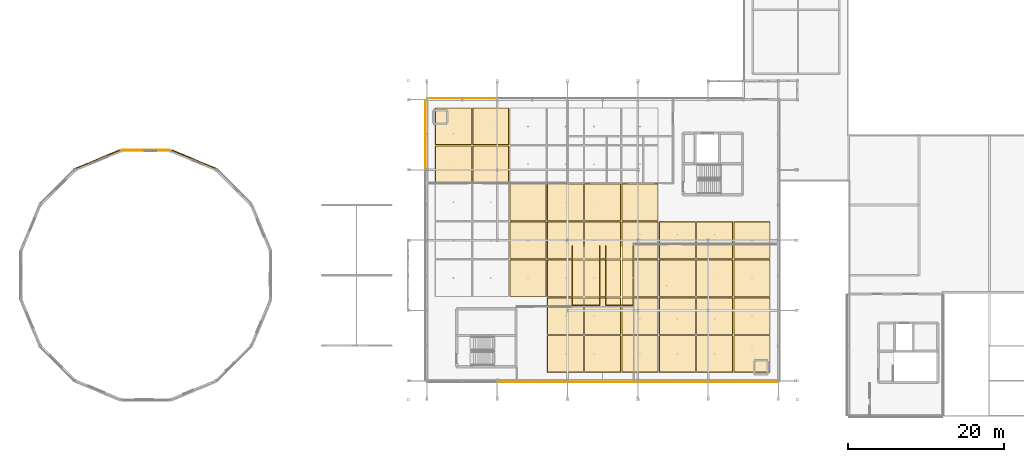
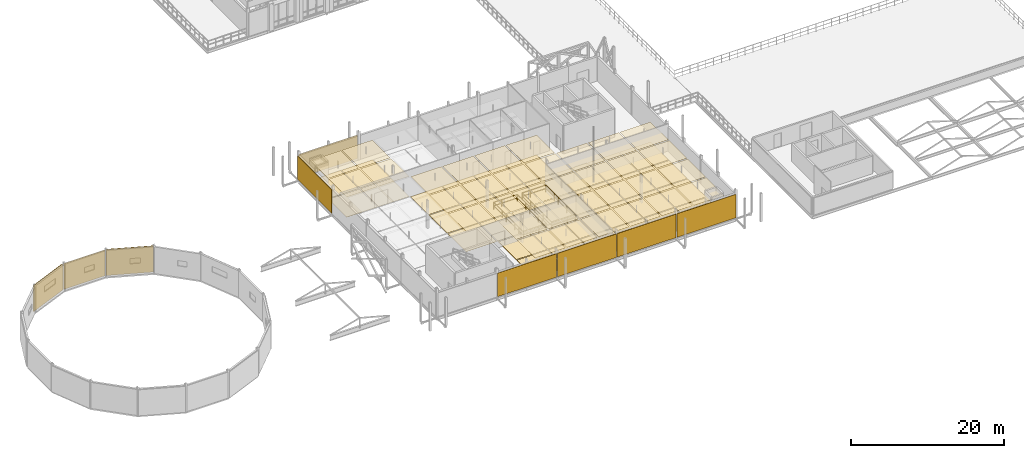
# One storey, part 81 of 89: 77 coverings, 2 railings.
"""IFC4 building model written with IfcOpenShell, lengths in metres."""

from ifc_helpers import new_model, si_unit, direction, frame, origin, origin_2d, place, context, subcontext, project, spatial, rectangle, circle, extrude, material, layer, layer_set, type_object, element, save


model = new_model("IFC4")

# Units and contexts
model_context = context("Model", 3, precision=1e-05, world=origin(), true_north=direction((0.0, 1.0)))
body_context = subcontext(model_context, "Body", "Model", "MODEL_VIEW")
ifc_project = project(units=[si_unit("LENGTHUNIT", "METRE"), si_unit("AREAUNIT", "SQUARE_METRE"), si_unit("VOLUMEUNIT", "CUBIC_METRE"), si_unit("PLANEANGLEUNIT", "RADIAN"), si_unit("MASSUNIT", "GRAM", prefix="KILO"), si_unit("THERMODYNAMICTEMPERATUREUNIT", "KELVIN"), si_unit("POWERUNIT", "WATT")], contexts=[model_context])

# Site, building, storey
site_placement = place(None, origin())
site = spatial("IfcSite", under=ifc_project, at=site_placement, CompositionType="ELEMENT")
building_placement = place(site_placement, origin())
building = spatial("IfcBuilding", under=site, at=building_placement, Name="Tallowbark Science Centre", CompositionType="ELEMENT")
storey_placement = place(building_placement, frame((0.0, 0.0, 14.39990234375)))
storey = spatial("IfcBuildingStorey", under=building, at=storey_placement, Name="L03", CompositionType="ELEMENT", Elevation=14.39990234375)

# Coverings
ifc_material_1 = material(Name="Perforated Spotted Gum Acoustic Baffle Ceiling", Category="wood")
ifc_layer_1 = layer(ifc_material_1, 0.02490234375)
ifc_layer_set_1 = layer_set([ifc_layer_1], Name="Perforated Spotted Gum Acoustic Baffle Ceiling")
covering_type_1 = type_object("IfcCoveringType", Name="CLG-TIM-25", PredefinedType="CEILING", material=ifc_layer_set_1)
for number, where, z_axis, x_axis, name in (
    (1, (61.888916015625, 32.21435546875, 3.187744140625), (0.0, 0.0, 1.0), (1.0, 0.0, 0.0), "Suspended Ceiling L03-949"),
    (2, (61.888916015625, 37.0712890625, 3.187744140625), (0.0, 0.0, 1.0), (1.0, 0.0, 0.0), "Suspended Ceiling L03-950"),
    (3, (66.666748046875, 32.21435546875, 3.187744140625), (0.0, 0.0, 1.0), (1.0, 0.0, 0.0), "Suspended Ceiling L03-954"),
    (4, (66.666748046875, 37.0712890625, 3.187744140625), (0.0, 0.0, 1.0), (1.0, 0.0, 0.0), "Suspended Ceiling L03-955"),
    (5, (71.4443359375, 17.642822265625, 3.187744140625), (0.0, 0.0, 1.0), (1.0, 0.0, 0.0), "Suspended Ceiling L03-956"),
    (6, (71.4443359375, 22.5, 3.187744140625), (0.0, 0.0, 1.0), (1.0, 0.0, 0.0), "Suspended Ceiling L03-957"),
    (7, (71.4443359375, 27.357177734375, 3.187744140625), (0.0, 0.0, 1.0), (1.0, 0.0, 0.0), "Suspended Ceiling L03-958"),
    (8, (76.22216796875, 7.9287109375, 3.187744140625), (0.0, 0.0, 1.0), (1.0, 0.0, 0.0), "Suspended Ceiling L03-961"),
    (9, (76.22216796875, 12.78564453125, 3.187744140625), (0.0, 0.0, 1.0), (1.0, 0.0, 0.0), "Suspended Ceiling L03-962"),
    (10, (76.22216796875, 17.642822265625, 3.187744140625), (0.0, 0.0, 1.0), (1.0, 0.0, 0.0), "Suspended Ceiling L03-963"),
    (11, (76.22216796875, 22.5, 3.187744140625), (0.0, 0.0, 1.0), (1.0, 0.0, 0.0), "Suspended Ceiling L03-964"),
    (12, (76.22216796875, 27.357177734375, 3.187744140625), (0.0, 0.0, 1.0), (1.0, 0.0, 0.0), "Suspended Ceiling L03-965"),
    (13, (81.0, 7.9287109375, 3.187744140625), (0.0, 0.0, 1.0), (1.0, 0.0, 0.0), "Suspended Ceiling L03-968"),
    (14, (81.0, 12.78564453125, 3.187744140625), (0.0, 0.0, 1.0), (1.0, 0.0, 0.0), "Suspended Ceiling L03-969"),
    (15, (81.0, 17.642822265625, 3.187744140625), (0.0, 0.0, 1.0), (1.0, 0.0, 0.0), "Suspended Ceiling L03-970"),
    (16, (81.0, 22.5, 3.187744140625), (0.0, 0.0, 1.0), (1.0, 0.0, 0.0), "Suspended Ceiling L03-971"),
    (17, (81.0, 27.357177734375, 3.187744140625), (0.0, 0.0, 1.0), (1.0, 0.0, 0.0), "Suspended Ceiling L03-972"),
    (18, (85.77783203125, 7.9287109375, 3.187744140625), (0.0, 0.0, 1.0), (1.0, 0.0, 0.0), "Suspended Ceiling L03-975"),
    (19, (85.77783203125, 12.78564453125, 3.187744140625), (0.0, 0.0, 1.0), (1.0, 0.0, 0.0), "Suspended Ceiling L03-976"),
    (20, (85.77783203125, 17.642822265625, 3.187744140625), (0.0, 0.0, 1.0), (1.0, 0.0, 0.0), "Suspended Ceiling L03-977"),
    (21, (85.77783203125, 22.5, 3.187744140625), (0.0, 0.0, 1.0), (1.0, 0.0, 0.0), "Suspended Ceiling L03-978"),
    (22, (85.77783203125, 27.357177734375, 3.187744140625), (0.0, 0.0, 1.0), (1.0, 0.0, 0.0), "Suspended Ceiling L03-979"),
    (23, (90.5556640625, 7.9287109375, 3.187744140625), (0.0, 0.0, 1.0), (1.0, 0.0, 0.0), "Suspended Ceiling L03-982"),
    (24, (90.5556640625, 12.78564453125, 3.187744140625), (0.0, 0.0, 1.0), (1.0, 0.0, 0.0), "Suspended Ceiling L03-983"),
    (25, (90.5556640625, 17.642822265625, 3.187744140625), (0.0, 0.0, 1.0), (1.0, 0.0, 0.0), "Suspended Ceiling L03-984"),
    (26, (90.5556640625, 22.5, 3.187744140625), (0.0, 0.0, 1.0), (1.0, 0.0, 0.0), "Suspended Ceiling L03-985"),
    (27, (95.333251953125, 7.9287109375, 3.187744140625), (0.0, 0.0, 1.0), (1.0, 0.0, 0.0), "Suspended Ceiling L03-986"),
    (28, (95.333251953125, 12.78564453125, 3.187744140625), (0.0, 0.0, 1.0), (1.0, 0.0, 0.0), "Suspended Ceiling L03-987"),
    (29, (95.333251953125, 17.642822265625, 3.187744140625), (0.0, 0.0, 1.0), (1.0, 0.0, 0.0), "Suspended Ceiling L03-988"),
    (30, (95.333251953125, 22.5, 3.187744140625), (0.0, 0.0, 1.0), (1.0, 0.0, 0.0), "Suspended Ceiling L03-989"),
    (31, (100.111083984375, 7.9287109375, 3.187744140625), (0.0, 0.0, 1.0), (1.0, 0.0, 0.0), "Suspended Ceiling L03-990"),
    (32, (100.111083984375, 12.78564453125, 3.187744140625), (0.0, 0.0, 1.0), (1.0, 0.0, 0.0), "Suspended Ceiling L03-991"),
    (33, (100.111083984375, 17.642822265625, 3.187744140625), (0.0, 0.0, 1.0), (1.0, 0.0, 0.0), "Suspended Ceiling L03-992"),
    (34, (100.111083984375, 22.5, 3.187744140625), (0.0, 0.0, 1.0), (1.0, 0.0, 0.0), "Suspended Ceiling L03-993"),
):
    element("IfcCovering", number, at=place(storey_placement, frame(where, z_axis=z_axis, x_axis=x_axis)), inside=storey, type_object=covering_type_1, Name=name, PredefinedType="CEILING", context=body_context, shape_type="SweptSolid", body=[
        extrude(rectangle(XDim=4.597900390625, YDim=4.677001953125, at=origin_2d()), origin(), (0.0, 0.0, 1.0), 0.02490234375),
    ])
ifc_material_2 = material(Name="White Architectural Precast Concrete Grade N40 (40 MPa)", Category="concrete")
ifc_layer_2 = layer(ifc_material_2, 0.1201171875)
ifc_layer_set_2 = layer_set([ifc_layer_2], Name="White Architectural Precast Concrete Grade N40 (40 MPa)")
covering_type_2 = type_object("IfcCoveringType", Name="COV-PRC-CLAD", PredefinedType="CLADDING", material=ifc_layer_set_2)
for number, where, z_axis, x_axis, name in (
    (35, (28.654052734375, 32.857177734375, 0.050048828125), (0.0, 0.0, 1.0), (-0.923879532859, 0.382683431527, 0.0), "Architectural Rainscreen DRM-UP-L03-02"),
    (36, (16.345947265625, 32.857177734375, 0.050048828125), (0.0, 0.0, 1.0), (-0.923879532859, -0.382683431527, 0.0), "Architectural Rainscreen DRM-UP-L03-04"),
):
    element("IfcCovering", number, at=place(storey_placement, frame(where, z_axis=z_axis, x_axis=x_axis)), inside=storey, type_object=covering_type_2, Name=name, PredefinedType="CLADDING", context=body_context, shape_type="SweptSolid", body=[
        extrude(rectangle(XDim=6.200927734375, YDim=0.1201171875, at=origin_2d()), origin(), (0.0, 0.0, 1.0), 4.1298828125),
    ])
ifc_material_3 = material(Name="Vitrified Ochre Terracotta Architectural Rainscreen", Category="masonry")
ifc_layer_3 = layer(ifc_material_3, 0.0380859375)
ifc_layer_set_3 = layer_set([ifc_layer_3], Name="Vitrified Ochre Terracotta Architectural Rainscreen")
covering_type_3 = type_object("IfcCoveringType", Name="COV-TER-CLAD", PredefinedType="CLADDING", material=ifc_layer_set_3)
covering_placement = place(storey_placement, frame((22.5, 34.040283203125, 0.050048828125), z_axis=(0.0, 0.0, 1.0), x_axis=(-1.0, 0.0, 0.0)))
element("IfcCovering", 37, at=covering_placement, inside=storey, type_object=covering_type_3, Name="Architectural Rainscreen DRM-UP-L03-03", PredefinedType="CLADDING", context=body_context, shape_type="SweptSolid", body=[
    extrude(rectangle(XDim=6.200927734375, YDim=0.0380859375, at=origin_2d()), origin(), (0.0, 0.0, 1.0), 4.1298828125),
])
ifc_material_4 = material(Name="Spotted Gum Hardwood Architectural Rainscreen", Category="wood")
ifc_layer_4 = layer(ifc_material_4, 0.0419921875)
ifc_layer_set_4 = layer_set([ifc_layer_4], Name="Spotted Gum Hardwood Architectural Rainscreen")
covering_type_4 = type_object("IfcCoveringType", Name="COV-TIM-CLAD", PredefinedType="CLADDING", material=ifc_layer_set_4)
for number, where, z_axis, x_axis, name in (
    (38, (63.0, 40.66845703125, 0.050048828125), (0.0, 0.0, 1.0), (-1.0, 0.0, 0.0), "Architectural Rainscreen CUB-N-L03-0"),
    (39, (72.0, 4.33154296875, 0.050048828125), (0.0, 0.0, 1.0), (1.0, 0.0, 0.0), "Architectural Rainscreen CUB-S-L03-1"),
    (40, (81.0, 4.33154296875, 0.050048828125), (0.0, 0.0, 1.0), (1.0, 0.0, 0.0), "Architectural Rainscreen CUB-S-L03-2"),
    (41, (90.0, 4.33154296875, 0.050048828125), (0.0, 0.0, 1.0), (1.0, 0.0, 0.0), "Architectural Rainscreen CUB-S-L03-3"),
    (42, (99.0, 4.33154296875, 0.050048828125), (0.0, 0.0, 1.0), (1.0, 0.0, 0.0), "Architectural Rainscreen CUB-S-L03-4"),
    (43, (58.33154296875, 36.0, 0.050048828125), (0.0, 0.0, 1.0), (0.0, -1.0, 0.0), "Architectural Rainscreen CUB-W-L03-3"),
):
    element("IfcCovering", number, at=place(storey_placement, frame(where, z_axis=z_axis, x_axis=x_axis)), inside=storey, type_object=covering_type_4, Name=name, PredefinedType="CLADDING", context=body_context, shape_type="SweptSolid", body=[
        extrude(rectangle(XDim=8.8798828125, YDim=0.0419921875, at=origin_2d()), origin(), (0.0, 0.0, 1.0), 3.74609375),
    ])
ifc_material_5 = material(Name="Engineered Blackbutt Gallery Timber Flooring", Category="wood")
ifc_layer_5 = layer(ifc_material_5, 0.02197265625)
ifc_layer_set_5 = layer_set([ifc_layer_5], Name="Engineered Blackbutt Gallery Timber Flooring")
covering_type_5 = type_object("IfcCoveringType", Name="FLR-TIM-22", PredefinedType="FLOORING", material=ifc_layer_set_5)
for number, where, z_axis, x_axis, name in (
    (44, (61.888916015625, 32.21435546875, 0.0), (0.0, 0.0, 1.0), (1.0, 0.0, 0.0), "Floor Finish L03-949"),
    (45, (61.888916015625, 37.0712890625, 0.0), (0.0, 0.0, 1.0), (1.0, 0.0, 0.0), "Floor Finish L03-950"),
    (46, (66.666748046875, 32.21435546875, 0.0), (0.0, 0.0, 1.0), (1.0, 0.0, 0.0), "Floor Finish L03-954"),
    (47, (66.666748046875, 37.0712890625, 0.0), (0.0, 0.0, 1.0), (1.0, 0.0, 0.0), "Floor Finish L03-955"),
    (48, (71.4443359375, 17.642822265625, 0.0), (0.0, 0.0, 1.0), (1.0, 0.0, 0.0), "Floor Finish L03-956"),
    (49, (71.4443359375, 22.5, 0.0), (0.0, 0.0, 1.0), (1.0, 0.0, 0.0), "Floor Finish L03-957"),
    (50, (71.4443359375, 27.357177734375, 0.0), (0.0, 0.0, 1.0), (1.0, 0.0, 0.0), "Floor Finish L03-958"),
    (51, (76.22216796875, 7.9287109375, 0.0), (0.0, 0.0, 1.0), (1.0, 0.0, 0.0), "Floor Finish L03-961"),
    (52, (76.22216796875, 12.78564453125, 0.0), (0.0, 0.0, 1.0), (1.0, 0.0, 0.0), "Floor Finish L03-962"),
    (53, (76.22216796875, 17.642822265625, 0.0), (0.0, 0.0, 1.0), (1.0, 0.0, 0.0), "Floor Finish L03-963"),
    (54, (76.22216796875, 22.5, 0.0), (0.0, 0.0, 1.0), (1.0, 0.0, 0.0), "Floor Finish L03-964"),
    (55, (76.22216796875, 27.357177734375, 0.0), (0.0, 0.0, 1.0), (1.0, 0.0, 0.0), "Floor Finish L03-965"),
    (56, (81.0, 7.9287109375, 0.0), (0.0, 0.0, 1.0), (1.0, 0.0, 0.0), "Floor Finish L03-968"),
    (57, (81.0, 12.78564453125, 0.0), (0.0, 0.0, 1.0), (1.0, 0.0, 0.0), "Floor Finish L03-969"),
    (58, (81.0, 17.642822265625, 0.0), (0.0, 0.0, 1.0), (1.0, 0.0, 0.0), "Floor Finish L03-970"),
    (59, (81.0, 22.5, 0.0), (0.0, 0.0, 1.0), (1.0, 0.0, 0.0), "Floor Finish L03-971"),
    (60, (81.0, 27.357177734375, 0.0), (0.0, 0.0, 1.0), (1.0, 0.0, 0.0), "Floor Finish L03-972"),
    (61, (85.77783203125, 7.9287109375, 0.0), (0.0, 0.0, 1.0), (1.0, 0.0, 0.0), "Floor Finish L03-975"),
    (62, (85.77783203125, 12.78564453125, 0.0), (0.0, 0.0, 1.0), (1.0, 0.0, 0.0), "Floor Finish L03-976"),
    (63, (85.77783203125, 17.642822265625, 0.0), (0.0, 0.0, 1.0), (1.0, 0.0, 0.0), "Floor Finish L03-977"),
    (64, (85.77783203125, 22.5, 0.0), (0.0, 0.0, 1.0), (1.0, 0.0, 0.0), "Floor Finish L03-978"),
    (65, (85.77783203125, 27.357177734375, 0.0), (0.0, 0.0, 1.0), (1.0, 0.0, 0.0), "Floor Finish L03-979"),
    (66, (90.5556640625, 7.9287109375, 0.0), (0.0, 0.0, 1.0), (1.0, 0.0, 0.0), "Floor Finish L03-982"),
    (67, (90.5556640625, 12.78564453125, 0.0), (0.0, 0.0, 1.0), (1.0, 0.0, 0.0), "Floor Finish L03-983"),
    (68, (90.5556640625, 17.642822265625, 0.0), (0.0, 0.0, 1.0), (1.0, 0.0, 0.0), "Floor Finish L03-984"),
    (69, (90.5556640625, 22.5, 0.0), (0.0, 0.0, 1.0), (1.0, 0.0, 0.0), "Floor Finish L03-985"),
    (70, (95.333251953125, 7.9287109375, 0.0), (0.0, 0.0, 1.0), (1.0, 0.0, 0.0), "Floor Finish L03-986"),
    (71, (95.333251953125, 12.78564453125, 0.0), (0.0, 0.0, 1.0), (1.0, 0.0, 0.0), "Floor Finish L03-987"),
    (72, (95.333251953125, 17.642822265625, 0.0), (0.0, 0.0, 1.0), (1.0, 0.0, 0.0), "Floor Finish L03-988"),
    (73, (95.333251953125, 22.5, 0.0), (0.0, 0.0, 1.0), (1.0, 0.0, 0.0), "Floor Finish L03-989"),
    (74, (100.111083984375, 7.9287109375, 0.0), (0.0, 0.0, 1.0), (1.0, 0.0, 0.0), "Floor Finish L03-990"),
    (75, (100.111083984375, 12.78564453125, 0.0), (0.0, 0.0, 1.0), (1.0, 0.0, 0.0), "Floor Finish L03-991"),
    (76, (100.111083984375, 17.642822265625, 0.0), (0.0, 0.0, 1.0), (1.0, 0.0, 0.0), "Floor Finish L03-992"),
    (77, (100.111083984375, 22.5, 0.0), (0.0, 0.0, 1.0), (1.0, 0.0, 0.0), "Floor Finish L03-993"),
):
    element("IfcCovering", number, at=place(storey_placement, frame(where, z_axis=z_axis, x_axis=x_axis)), inside=storey, type_object=covering_type_5, Name=name, PredefinedType="FLOORING", context=body_context, shape_type="SweptSolid", body=[
        extrude(rectangle(XDim=4.65771484375, YDim=4.737060546875, at=origin_2d()), origin(), (0.0, 0.0, 1.0), 0.02197265625),
    ])

# Railings
ifc_material_6 = material(Name="Galvanised Painted Steel and Laminated Glass Balustrade", Category="steel")
ifc_layer_6 = layer(ifc_material_6, 0.070068359375)
ifc_layer_set_6 = layer_set([ifc_layer_6], Name="Galvanised Painted Steel and Laminated Glass Balustrade")
railing_type = type_object("IfcRailingType", Name="RLG-BAL-1150", PredefinedType="BALUSTRADE", material=ifc_layer_set_6)
railing_1_placement = place(storey_placement, frame((77.080078125, 14.179931640625, 0.0)))
element("IfcRailing", 78, at=railing_1_placement, inside=storey, type_object=railing_type, Name="Guardrail GD-ATR-L03W", PredefinedType="BALUSTRADE", context=body_context, shape_type="SweptSolid", body=[
    extrude(circle(Radius=0.02392578125, at=origin_2d()), frame((0.0, 0.0, 1.1259765625), z_axis=(1.0, 0.0, 0.0), x_axis=(0.0, 1.0, 0.0)), (0.0, 0.0, 1.0), 3.5400390625),
    extrude(circle(Radius=0.02392578125, at=origin_2d()), frame((0.0, 0.0, 0.574951171875), z_axis=(1.0, 0.0, 0.0), x_axis=(0.0, 1.0, 0.0)), (0.0, 0.0, 1.0), 3.5400390625),
    extrude(circle(Radius=0.02392578125, at=origin_2d()), frame((3.5400390625, 0.0, 1.1259765625), z_axis=(0.0, 1.0, 0.0), x_axis=(-1.0, 0.0, 0.0)), (0.0, 0.0, 1.0), 7.64013671875),
    extrude(circle(Radius=0.02392578125, at=origin_2d()), frame((3.5400390625, 0.0, 0.574951171875), z_axis=(0.0, 1.0, 0.0), x_axis=(-1.0, 0.0, 0.0)), (0.0, 0.0, 1.0), 7.64013671875),
    extrude(circle(Radius=0.02392578125, at=origin_2d()), frame((3.5400390625, 7.64013671875, 1.1259765625), z_axis=(-1.0, 0.0, 0.0), x_axis=(0.0, -1.0, 0.0)), (0.0, 0.0, 1.0), 3.5400390625),
    extrude(circle(Radius=0.02392578125, at=origin_2d()), frame((3.5400390625, 7.64013671875, 0.574951171875), z_axis=(-1.0, 0.0, 0.0), x_axis=(0.0, -1.0, 0.0)), (0.0, 0.0, 1.0), 3.5400390625),
    extrude(circle(Radius=0.02392578125, at=origin_2d()), frame((0.0, 7.64013671875, 1.1259765625), z_axis=(0.0, -1.0, 0.0), x_axis=(1.0, 0.0, 0.0)), (0.0, 0.0, 1.0), 7.64013671875),
    extrude(circle(Radius=0.02392578125, at=origin_2d()), frame((0.0, 7.64013671875, 0.574951171875), z_axis=(0.0, -1.0, 0.0), x_axis=(1.0, 0.0, 0.0)), (0.0, 0.0, 1.0), 7.64013671875),
    extrude(circle(Radius=0.02099609375, at=origin_2d()), origin(), (0.0, 0.0, 1.0), 1.101806640625),
    extrude(circle(Radius=0.02099609375, at=origin_2d()), frame((1.179931640625, 0.0, 0.0)), (0.0, 0.0, 1.0), 1.101806640625),
    extrude(circle(Radius=0.02099609375, at=origin_2d()), frame((2.360107421875, 0.0, 0.0)), (0.0, 0.0, 1.0), 1.101806640625),
    extrude(circle(Radius=0.02099609375, at=origin_2d()), frame((3.5400390625, 0.0, 0.0)), (0.0, 0.0, 1.0), 1.101806640625),
    extrude(circle(Radius=0.02099609375, at=origin_2d()), frame((3.5400390625, 1.091552734375, 0.0)), (0.0, 0.0, 1.0), 1.101806640625),
    extrude(circle(Radius=0.02099609375, at=origin_2d()), frame((3.5400390625, 2.182861328125, 0.0)), (0.0, 0.0, 1.0), 1.101806640625),
    extrude(circle(Radius=0.02099609375, at=origin_2d()), frame((3.5400390625, 3.2744140625, 0.0)), (0.0, 0.0, 1.0), 1.101806640625),
    extrude(circle(Radius=0.02099609375, at=origin_2d()), frame((3.5400390625, 4.36572265625, 0.0)), (0.0, 0.0, 1.0), 1.101806640625),
    extrude(circle(Radius=0.02099609375, at=origin_2d()), frame((3.5400390625, 5.457275390625, 0.0)), (0.0, 0.0, 1.0), 1.101806640625),
    extrude(circle(Radius=0.02099609375, at=origin_2d()), frame((3.5400390625, 6.548583984375, 0.0)), (0.0, 0.0, 1.0), 1.101806640625),
    extrude(circle(Radius=0.02099609375, at=origin_2d()), frame((3.5400390625, 7.64013671875, 0.0)), (0.0, 0.0, 1.0), 1.101806640625),
    extrude(circle(Radius=0.02099609375, at=origin_2d()), frame((2.360107421875, 7.64013671875, 0.0)), (0.0, 0.0, 1.0), 1.101806640625),
    extrude(circle(Radius=0.02099609375, at=origin_2d()), frame((1.179931640625, 7.64013671875, 0.0)), (0.0, 0.0, 1.0), 1.101806640625),
    extrude(circle(Radius=0.02099609375, at=origin_2d()), frame((0.0, 7.64013671875, 0.0)), (0.0, 0.0, 1.0), 1.101806640625),
    extrude(circle(Radius=0.02099609375, at=origin_2d()), frame((0.0, 6.548583984375, 0.0)), (0.0, 0.0, 1.0), 1.101806640625),
    extrude(circle(Radius=0.02099609375, at=origin_2d()), frame((0.0, 5.457275390625, 0.0)), (0.0, 0.0, 1.0), 1.101806640625),
    extrude(circle(Radius=0.02099609375, at=origin_2d()), frame((0.0, 4.36572265625, 0.0)), (0.0, 0.0, 1.0), 1.101806640625),
    extrude(circle(Radius=0.02099609375, at=origin_2d()), frame((0.0, 3.2744140625, 0.0)), (0.0, 0.0, 1.0), 1.101806640625),
    extrude(circle(Radius=0.02099609375, at=origin_2d()), frame((0.0, 2.182861328125, 0.0)), (0.0, 0.0, 1.0), 1.101806640625),
    extrude(circle(Radius=0.02099609375, at=origin_2d()), frame((0.0, 1.091552734375, 0.0)), (0.0, 0.0, 1.0), 1.101806640625),
])
railing_2_placement = place(storey_placement, frame((81.3798828125, 14.179931640625, 0.0)))
element("IfcRailing", 79, at=railing_2_placement, inside=storey, type_object=railing_type, Name="Guardrail GD-ATR-L03E", PredefinedType="BALUSTRADE", context=body_context, shape_type="SweptSolid", body=[
    extrude(circle(Radius=0.02392578125, at=origin_2d()), frame((0.0, 0.0, 1.1259765625), z_axis=(1.0, 0.0, 0.0), x_axis=(0.0, 1.0, 0.0)), (0.0, 0.0, 1.0), 3.5400390625),
    extrude(circle(Radius=0.02392578125, at=origin_2d()), frame((0.0, 0.0, 0.574951171875), z_axis=(1.0, 0.0, 0.0), x_axis=(0.0, 1.0, 0.0)), (0.0, 0.0, 1.0), 3.5400390625),
    extrude(circle(Radius=0.02392578125, at=origin_2d()), frame((3.5400390625, 0.0, 1.1259765625), z_axis=(0.0, 1.0, 0.0), x_axis=(-1.0, 0.0, 0.0)), (0.0, 0.0, 1.0), 7.64013671875),
    extrude(circle(Radius=0.02392578125, at=origin_2d()), frame((3.5400390625, 0.0, 0.574951171875), z_axis=(0.0, 1.0, 0.0), x_axis=(-1.0, 0.0, 0.0)), (0.0, 0.0, 1.0), 7.64013671875),
    extrude(circle(Radius=0.02392578125, at=origin_2d()), frame((3.5400390625, 7.64013671875, 1.1259765625), z_axis=(-1.0, 0.0, 0.0), x_axis=(0.0, -1.0, 0.0)), (0.0, 0.0, 1.0), 3.5400390625),
    extrude(circle(Radius=0.02392578125, at=origin_2d()), frame((3.5400390625, 7.64013671875, 0.574951171875), z_axis=(-1.0, 0.0, 0.0), x_axis=(0.0, -1.0, 0.0)), (0.0, 0.0, 1.0), 3.5400390625),
    extrude(circle(Radius=0.02392578125, at=origin_2d()), frame((0.0, 7.64013671875, 1.1259765625), z_axis=(0.0, -1.0, 0.0), x_axis=(1.0, 0.0, 0.0)), (0.0, 0.0, 1.0), 7.64013671875),
    extrude(circle(Radius=0.02392578125, at=origin_2d()), frame((0.0, 7.64013671875, 0.574951171875), z_axis=(0.0, -1.0, 0.0), x_axis=(1.0, 0.0, 0.0)), (0.0, 0.0, 1.0), 7.64013671875),
    extrude(circle(Radius=0.02099609375, at=origin_2d()), origin(), (0.0, 0.0, 1.0), 1.101806640625),
    extrude(circle(Radius=0.02099609375, at=origin_2d()), frame((1.179931640625, 0.0, 0.0)), (0.0, 0.0, 1.0), 1.101806640625),
    extrude(circle(Radius=0.02099609375, at=origin_2d()), frame((2.360107421875, 0.0, 0.0)), (0.0, 0.0, 1.0), 1.101806640625),
    extrude(circle(Radius=0.02099609375, at=origin_2d()), frame((3.5400390625, 0.0, 0.0)), (0.0, 0.0, 1.0), 1.101806640625),
    extrude(circle(Radius=0.02099609375, at=origin_2d()), frame((3.5400390625, 1.091552734375, 0.0)), (0.0, 0.0, 1.0), 1.101806640625),
    extrude(circle(Radius=0.02099609375, at=origin_2d()), frame((3.5400390625, 2.182861328125, 0.0)), (0.0, 0.0, 1.0), 1.101806640625),
    extrude(circle(Radius=0.02099609375, at=origin_2d()), frame((3.5400390625, 3.2744140625, 0.0)), (0.0, 0.0, 1.0), 1.101806640625),
    extrude(circle(Radius=0.02099609375, at=origin_2d()), frame((3.5400390625, 4.36572265625, 0.0)), (0.0, 0.0, 1.0), 1.101806640625),
    extrude(circle(Radius=0.02099609375, at=origin_2d()), frame((3.5400390625, 5.457275390625, 0.0)), (0.0, 0.0, 1.0), 1.101806640625),
    extrude(circle(Radius=0.02099609375, at=origin_2d()), frame((3.5400390625, 6.548583984375, 0.0)), (0.0, 0.0, 1.0), 1.101806640625),
    extrude(circle(Radius=0.02099609375, at=origin_2d()), frame((3.5400390625, 7.64013671875, 0.0)), (0.0, 0.0, 1.0), 1.101806640625),
    extrude(circle(Radius=0.02099609375, at=origin_2d()), frame((2.360107421875, 7.64013671875, 0.0)), (0.0, 0.0, 1.0), 1.101806640625),
    extrude(circle(Radius=0.02099609375, at=origin_2d()), frame((1.179931640625, 7.64013671875, 0.0)), (0.0, 0.0, 1.0), 1.101806640625),
    extrude(circle(Radius=0.02099609375, at=origin_2d()), frame((0.0, 7.64013671875, 0.0)), (0.0, 0.0, 1.0), 1.101806640625),
    extrude(circle(Radius=0.02099609375, at=origin_2d()), frame((0.0, 6.548583984375, 0.0)), (0.0, 0.0, 1.0), 1.101806640625),
    extrude(circle(Radius=0.02099609375, at=origin_2d()), frame((0.0, 5.457275390625, 0.0)), (0.0, 0.0, 1.0), 1.101806640625),
    extrude(circle(Radius=0.02099609375, at=origin_2d()), frame((0.0, 4.36572265625, 0.0)), (0.0, 0.0, 1.0), 1.101806640625),
    extrude(circle(Radius=0.02099609375, at=origin_2d()), frame((0.0, 3.2744140625, 0.0)), (0.0, 0.0, 1.0), 1.101806640625),
    extrude(circle(Radius=0.02099609375, at=origin_2d()), frame((0.0, 2.182861328125, 0.0)), (0.0, 0.0, 1.0), 1.101806640625),
    extrude(circle(Radius=0.02099609375, at=origin_2d()), frame((0.0, 1.091552734375, 0.0)), (0.0, 0.0, 1.0), 1.101806640625),
])

save(model, "model.ifc")
